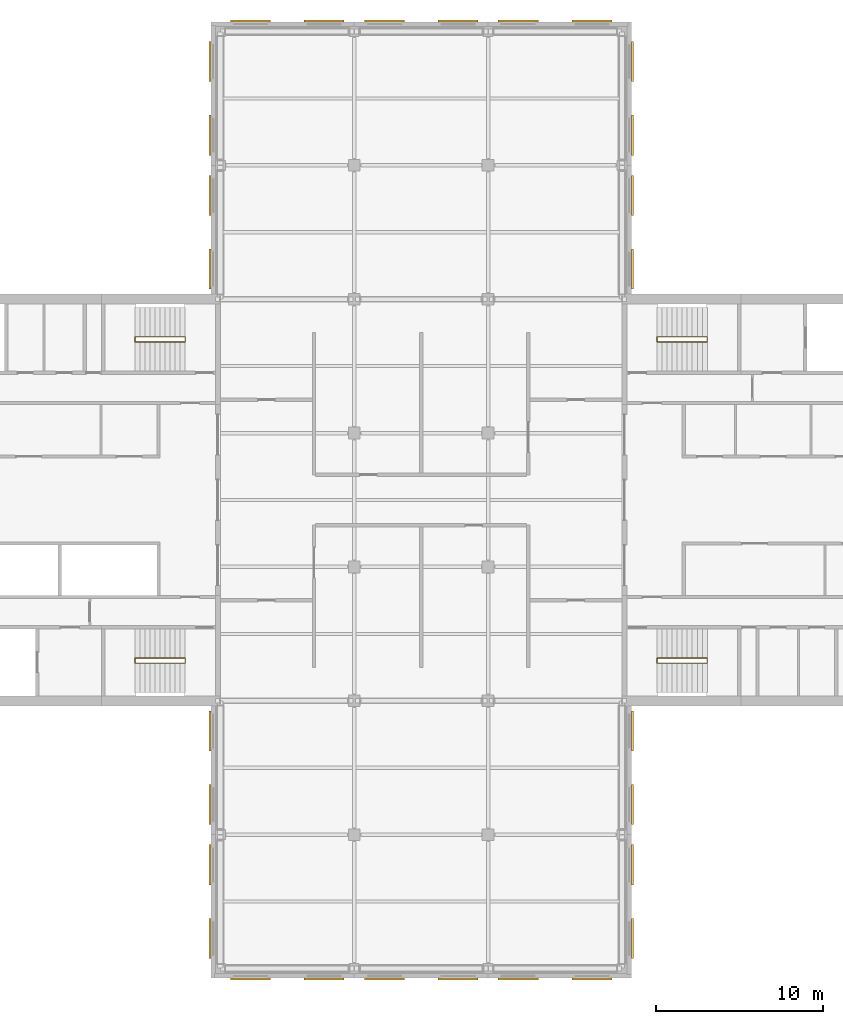
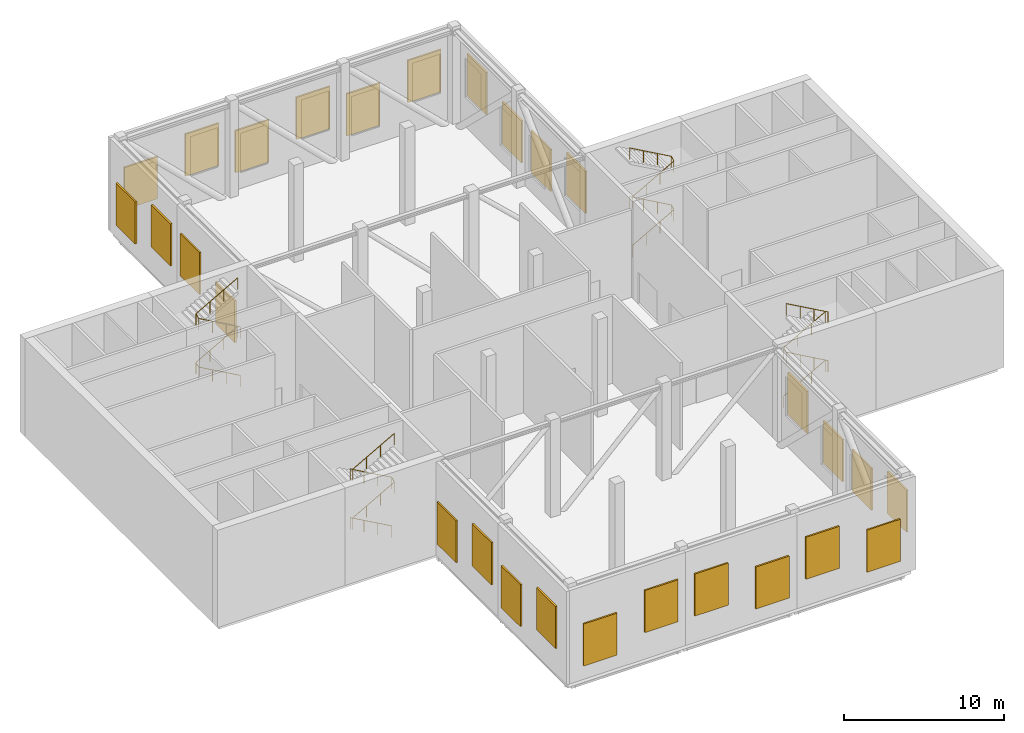
# One storey, part 10 of 10: 28 shading devices, 4 railings.
"""IFC4 building model written with IfcOpenShell, lengths in metres."""

from ifc_helpers import new_model, si_unit, direction, frame, origin, origin_2d, place, context, subcontext, project, spatial, rectangle, circle, extrude, material, constituent, constituent_set, type_object, element, save


model = new_model("IFC4")

# Units and contexts
model_context = context("Model", 3, precision=1e-05, world=origin(), true_north=direction((0.0, 1.0)))
body_context = subcontext(model_context, "Body", "Model", "MODEL_VIEW")
ifc_project = project(units=[si_unit("LENGTHUNIT", "METRE"), si_unit("AREAUNIT", "SQUARE_METRE"), si_unit("VOLUMEUNIT", "CUBIC_METRE"), si_unit("PLANEANGLEUNIT", "RADIAN"), si_unit("MASSUNIT", "GRAM", prefix="KILO")], contexts=[model_context])

# Site, building, storey
site_placement = place(None, origin())
site = spatial("IfcSite", under=ifc_project, at=site_placement, CompositionType="ELEMENT")
building_placement = place(site_placement, origin())
building = spatial("IfcBuilding", under=site, at=building_placement, Name="Crosswind Convention Tower", CompositionType="ELEMENT")
storey_placement = place(building_placement, frame((0.0, 0.0, 237.699951171875)))
storey = spatial("IfcBuildingStorey", under=building, at=storey_placement, Name="L51", CompositionType="ELEMENT", Elevation=237.699951171875)

# Railings
ifc_material_1 = material(Name="Stainless steel", Category="steel")
railing_type = type_object("IfcRailingType", Name="Stair handrail 900", PredefinedType="HANDRAIL", material=ifc_material_1)
railing_1_placement = place(storey_placement, frame((139.10009765625, 109.43994140625, 0.168212890625)))
element("IfcRailing", 1, at=railing_1_placement, inside=storey, type_object=railing_type, Name="Stair ST1 handrail L51", PredefinedType="HANDRAIL", context=body_context, shape_type="SweptSolid", body=[
    extrude(circle(Radius=0.02392578125, at=origin_2d()), frame((0.0, 0.0, 0.8759765625), z_axis=(0.872272294576, 0.0, 0.489020494575), x_axis=(0.0, 1.0, 0.0)), (0.0, 0.0, 1.0), 3.439208984375),
    extrude(circle(Radius=0.02392578125, at=origin_2d()), frame((3.0, 0.0, 2.5576171875), z_axis=(0.0, 0.885196349292, 0.465217608438), x_axis=(-1.0, 0.0, 0.0)), (0.0, 0.0, 1.0), 0.361572265625),
    extrude(circle(Radius=0.02392578125, at=origin_2d()), frame((3.0, 0.320068359375, 2.72607421875), z_axis=(-0.872302573547, 0.0, 0.488966481656), x_axis=(0.0, -1.0, 0.0)), (0.0, 0.0, 1.0), 3.439208984375),
    extrude(circle(Radius=0.02392578125, at=origin_2d()), frame((0.0, 0.320068359375, 4.40771484375), z_axis=(0.0, -0.885196349292, 0.465217608438), x_axis=(1.0, 0.0, 0.0)), (0.0, 0.0, 1.0), 0.361572265625),
    extrude(circle(Radius=0.02392578125, at=origin_2d()), frame((0.0, 0.0, 4.57568359375), z_axis=(0.872272294576, 0.0, 0.489020494575), x_axis=(0.0, 1.0, 0.0)), (0.0, 0.0, 1.0), 3.439208984375),
    extrude(circle(Radius=0.02392578125, at=origin_2d()), frame((3.0, 0.0, 6.2578125), z_axis=(0.0, 0.885196349292, 0.465217608438), x_axis=(-1.0, 0.0, 0.0)), (0.0, 0.0, 1.0), 0.361572265625),
    extrude(circle(Radius=0.02392578125, at=origin_2d()), frame((3.0, 0.320068359375, 6.42578125), z_axis=(-0.872272294576, 0.0, 0.489020494575), x_axis=(0.0, -1.0, 0.0)), (0.0, 0.0, 1.0), 3.439208984375),
    extrude(circle(Radius=0.02099609375, at=origin_2d()), origin(), (0.0, 0.0, 1.0), 0.851806640625),
    extrude(circle(Radius=0.02099609375, at=origin_2d()), frame((1.0, 0.0, 0.560546875)), (0.0, 0.0, 1.0), 0.851806640625),
    extrude(circle(Radius=0.02099609375, at=origin_2d()), frame((2.0, 0.0, 1.121337890625)), (0.0, 0.0, 1.0), 0.851806640625),
    extrude(circle(Radius=0.02099609375, at=origin_2d()), frame((3.0, 0.0, 1.681884765625)), (0.0, 0.0, 1.0), 0.851806640625),
    extrude(circle(Radius=0.02099609375, at=origin_2d()), frame((3.0, 0.320068359375, 1.85009765625)), (0.0, 0.0, 1.0), 0.851806640625),
    extrude(circle(Radius=0.02099609375, at=origin_2d()), frame((2.0, 0.320068359375, 2.41064453125)), (0.0, 0.0, 1.0), 0.851806640625),
    extrude(circle(Radius=0.02099609375, at=origin_2d()), frame((1.0, 0.320068359375, 2.97119140625)), (0.0, 0.0, 1.0), 0.851806640625),
    extrude(circle(Radius=0.02099609375, at=origin_2d()), frame((0.0, 0.320068359375, 3.53173828125)), (0.0, 0.0, 1.0), 0.851806640625),
    extrude(circle(Radius=0.02099609375, at=origin_2d()), frame((0.0, 0.0, 3.699951171875)), (0.0, 0.0, 1.0), 0.851806640625),
    extrude(circle(Radius=0.02099609375, at=origin_2d()), frame((1.0, 0.0, 4.260498046875)), (0.0, 0.0, 1.0), 0.851806640625),
    extrude(circle(Radius=0.02099609375, at=origin_2d()), frame((2.0, 0.0, 4.8212890625)), (0.0, 0.0, 1.0), 0.851806640625),
    extrude(circle(Radius=0.02099609375, at=origin_2d()), frame((3.0, 0.0, 5.3818359375)), (0.0, 0.0, 1.0), 0.851806640625),
    extrude(circle(Radius=0.02099609375, at=origin_2d()), frame((3.0, 0.320068359375, 5.550048828125)), (0.0, 0.0, 1.0), 0.851806640625),
    extrude(circle(Radius=0.02099609375, at=origin_2d()), frame((2.0, 0.320068359375, 6.110595703125)), (0.0, 0.0, 1.0), 0.851806640625),
    extrude(circle(Radius=0.02099609375, at=origin_2d()), frame((1.0, 0.320068359375, 6.67138671875)), (0.0, 0.0, 1.0), 0.851806640625),
    extrude(circle(Radius=0.02099609375, at=origin_2d()), frame((0.0, 0.320068359375, 7.23193359375)), (0.0, 0.0, 1.0), 0.851806640625),
])
railing_2_placement = place(storey_placement, frame((139.10009765625, 90.56005859375, 0.168212890625)))
element("IfcRailing", 2, at=railing_2_placement, inside=storey, type_object=railing_type, Name="Stair ST2 handrail L51", PredefinedType="HANDRAIL", context=body_context, shape_type="SweptSolid", body=[
    extrude(circle(Radius=0.02392578125, at=origin_2d()), frame((0.0, 0.0, 0.8759765625), z_axis=(0.872272294576, 0.0, 0.489020494575), x_axis=(0.0, 1.0, 0.0)), (0.0, 0.0, 1.0), 3.439208984375),
    extrude(circle(Radius=0.02392578125, at=origin_2d()), frame((3.0, 0.0, 2.5576171875), z_axis=(0.0, -0.885196349292, 0.465217608438), x_axis=(1.0, 0.0, 0.0)), (0.0, 0.0, 1.0), 0.361572265625),
    extrude(circle(Radius=0.02392578125, at=origin_2d()), frame((3.0, -0.320068359375, 2.72607421875), z_axis=(-0.872302573547, 0.0, 0.488966481656), x_axis=(0.0, -1.0, 0.0)), (0.0, 0.0, 1.0), 3.439208984375),
    extrude(circle(Radius=0.02392578125, at=origin_2d()), frame((0.0, -0.320068359375, 4.40771484375), z_axis=(0.0, 0.885196349292, 0.465217608438), x_axis=(-1.0, 0.0, 0.0)), (0.0, 0.0, 1.0), 0.361572265625),
    extrude(circle(Radius=0.02392578125, at=origin_2d()), frame((0.0, 0.0, 4.57568359375), z_axis=(0.872272294576, 0.0, 0.489020494575), x_axis=(0.0, 1.0, 0.0)), (0.0, 0.0, 1.0), 3.439208984375),
    extrude(circle(Radius=0.02392578125, at=origin_2d()), frame((3.0, 0.0, 6.2578125), z_axis=(0.0, -0.885196349292, 0.465217608438), x_axis=(1.0, 0.0, 0.0)), (0.0, 0.0, 1.0), 0.361572265625),
    extrude(circle(Radius=0.02392578125, at=origin_2d()), frame((3.0, -0.320068359375, 6.42578125), z_axis=(-0.872272294576, 0.0, 0.489020494575), x_axis=(0.0, -1.0, 0.0)), (0.0, 0.0, 1.0), 3.439208984375),
    extrude(circle(Radius=0.02099609375, at=origin_2d()), origin(), (0.0, 0.0, 1.0), 0.851806640625),
    extrude(circle(Radius=0.02099609375, at=origin_2d()), frame((1.0, 0.0, 0.560546875)), (0.0, 0.0, 1.0), 0.851806640625),
    extrude(circle(Radius=0.02099609375, at=origin_2d()), frame((2.0, 0.0, 1.121337890625)), (0.0, 0.0, 1.0), 0.851806640625),
    extrude(circle(Radius=0.02099609375, at=origin_2d()), frame((3.0, 0.0, 1.681884765625)), (0.0, 0.0, 1.0), 0.851806640625),
    extrude(circle(Radius=0.02099609375, at=origin_2d()), frame((3.0, -0.320068359375, 1.85009765625)), (0.0, 0.0, 1.0), 0.851806640625),
    extrude(circle(Radius=0.02099609375, at=origin_2d()), frame((2.0, -0.320068359375, 2.41064453125)), (0.0, 0.0, 1.0), 0.851806640625),
    extrude(circle(Radius=0.02099609375, at=origin_2d()), frame((1.0, -0.320068359375, 2.97119140625)), (0.0, 0.0, 1.0), 0.851806640625),
    extrude(circle(Radius=0.02099609375, at=origin_2d()), frame((0.0, -0.320068359375, 3.53173828125)), (0.0, 0.0, 1.0), 0.851806640625),
    extrude(circle(Radius=0.02099609375, at=origin_2d()), frame((0.0, 0.0, 3.699951171875)), (0.0, 0.0, 1.0), 0.851806640625),
    extrude(circle(Radius=0.02099609375, at=origin_2d()), frame((1.0, 0.0, 4.260498046875)), (0.0, 0.0, 1.0), 0.851806640625),
    extrude(circle(Radius=0.02099609375, at=origin_2d()), frame((2.0, 0.0, 4.8212890625)), (0.0, 0.0, 1.0), 0.851806640625),
    extrude(circle(Radius=0.02099609375, at=origin_2d()), frame((3.0, 0.0, 5.3818359375)), (0.0, 0.0, 1.0), 0.851806640625),
    extrude(circle(Radius=0.02099609375, at=origin_2d()), frame((3.0, -0.320068359375, 5.550048828125)), (0.0, 0.0, 1.0), 0.851806640625),
    extrude(circle(Radius=0.02099609375, at=origin_2d()), frame((2.0, -0.320068359375, 6.110595703125)), (0.0, 0.0, 1.0), 0.851806640625),
    extrude(circle(Radius=0.02099609375, at=origin_2d()), frame((1.0, -0.320068359375, 6.67138671875)), (0.0, 0.0, 1.0), 0.851806640625),
    extrude(circle(Radius=0.02099609375, at=origin_2d()), frame((0.0, -0.320068359375, 7.23193359375)), (0.0, 0.0, 1.0), 0.851806640625),
])
railing_3_placement = place(storey_placement, frame((110.89990234375, 90.56005859375, 0.168212890625)))
element("IfcRailing", 3, at=railing_3_placement, inside=storey, type_object=railing_type, Name="Stair ST3 handrail L51", PredefinedType="HANDRAIL", context=body_context, shape_type="SweptSolid", body=[
    extrude(circle(Radius=0.02392578125, at=origin_2d()), frame((0.0, 0.0, 0.8759765625), z_axis=(-0.872272294576, 0.0, 0.489020494575), x_axis=(0.0, -1.0, 0.0)), (0.0, 0.0, 1.0), 3.439208984375),
    extrude(circle(Radius=0.02392578125, at=origin_2d()), frame((-3.0, 0.0, 2.5576171875), z_axis=(0.0, -0.885196349292, 0.465217608438), x_axis=(1.0, 0.0, 0.0)), (0.0, 0.0, 1.0), 0.361572265625),
    extrude(circle(Radius=0.02392578125, at=origin_2d()), frame((-3.0, -0.320068359375, 2.72607421875), z_axis=(0.872302573547, 0.0, 0.488966481656), x_axis=(0.0, 1.0, 0.0)), (0.0, 0.0, 1.0), 3.439208984375),
    extrude(circle(Radius=0.02392578125, at=origin_2d()), frame((0.0, -0.320068359375, 4.40771484375), z_axis=(0.0, 0.885196349292, 0.465217608438), x_axis=(-1.0, 0.0, 0.0)), (0.0, 0.0, 1.0), 0.361572265625),
    extrude(circle(Radius=0.02392578125, at=origin_2d()), frame((0.0, 0.0, 4.57568359375), z_axis=(-0.872272294576, 0.0, 0.489020494575), x_axis=(0.0, -1.0, 0.0)), (0.0, 0.0, 1.0), 3.439208984375),
    extrude(circle(Radius=0.02392578125, at=origin_2d()), frame((-3.0, 0.0, 6.2578125), z_axis=(0.0, -0.885196349292, 0.465217608438), x_axis=(1.0, 0.0, 0.0)), (0.0, 0.0, 1.0), 0.361572265625),
    extrude(circle(Radius=0.02392578125, at=origin_2d()), frame((-3.0, -0.320068359375, 6.42578125), z_axis=(0.872272294576, 0.0, 0.489020494575), x_axis=(0.0, 1.0, 0.0)), (0.0, 0.0, 1.0), 3.439208984375),
    extrude(circle(Radius=0.02099609375, at=origin_2d()), origin(), (0.0, 0.0, 1.0), 0.851806640625),
    extrude(circle(Radius=0.02099609375, at=origin_2d()), frame((-1.0, 0.0, 0.560546875)), (0.0, 0.0, 1.0), 0.851806640625),
    extrude(circle(Radius=0.02099609375, at=origin_2d()), frame((-2.0, 0.0, 1.121337890625)), (0.0, 0.0, 1.0), 0.851806640625),
    extrude(circle(Radius=0.02099609375, at=origin_2d()), frame((-3.0, 0.0, 1.681884765625)), (0.0, 0.0, 1.0), 0.851806640625),
    extrude(circle(Radius=0.02099609375, at=origin_2d()), frame((-3.0, -0.320068359375, 1.85009765625)), (0.0, 0.0, 1.0), 0.851806640625),
    extrude(circle(Radius=0.02099609375, at=origin_2d()), frame((-2.0, -0.320068359375, 2.41064453125)), (0.0, 0.0, 1.0), 0.851806640625),
    extrude(circle(Radius=0.02099609375, at=origin_2d()), frame((-1.0, -0.320068359375, 2.97119140625)), (0.0, 0.0, 1.0), 0.851806640625),
    extrude(circle(Radius=0.02099609375, at=origin_2d()), frame((0.0, -0.320068359375, 3.53173828125)), (0.0, 0.0, 1.0), 0.851806640625),
    extrude(circle(Radius=0.02099609375, at=origin_2d()), frame((0.0, 0.0, 3.699951171875)), (0.0, 0.0, 1.0), 0.851806640625),
    extrude(circle(Radius=0.02099609375, at=origin_2d()), frame((-1.0, 0.0, 4.260498046875)), (0.0, 0.0, 1.0), 0.851806640625),
    extrude(circle(Radius=0.02099609375, at=origin_2d()), frame((-2.0, 0.0, 4.8212890625)), (0.0, 0.0, 1.0), 0.851806640625),
    extrude(circle(Radius=0.02099609375, at=origin_2d()), frame((-3.0, 0.0, 5.3818359375)), (0.0, 0.0, 1.0), 0.851806640625),
    extrude(circle(Radius=0.02099609375, at=origin_2d()), frame((-3.0, -0.320068359375, 5.550048828125)), (0.0, 0.0, 1.0), 0.851806640625),
    extrude(circle(Radius=0.02099609375, at=origin_2d()), frame((-2.0, -0.320068359375, 6.110595703125)), (0.0, 0.0, 1.0), 0.851806640625),
    extrude(circle(Radius=0.02099609375, at=origin_2d()), frame((-1.0, -0.320068359375, 6.67138671875)), (0.0, 0.0, 1.0), 0.851806640625),
    extrude(circle(Radius=0.02099609375, at=origin_2d()), frame((0.0, -0.320068359375, 7.23193359375)), (0.0, 0.0, 1.0), 0.851806640625),
])
railing_4_placement = place(storey_placement, frame((110.89990234375, 109.43994140625, 0.168212890625)))
element("IfcRailing", 4, at=railing_4_placement, inside=storey, type_object=railing_type, Name="Stair ST4 handrail L51", PredefinedType="HANDRAIL", context=body_context, shape_type="SweptSolid", body=[
    extrude(circle(Radius=0.02392578125, at=origin_2d()), frame((0.0, 0.0, 0.8759765625), z_axis=(-0.872272294576, 0.0, 0.489020494575), x_axis=(0.0, -1.0, 0.0)), (0.0, 0.0, 1.0), 3.439208984375),
    extrude(circle(Radius=0.02392578125, at=origin_2d()), frame((-3.0, 0.0, 2.5576171875), z_axis=(0.0, 0.885196349292, 0.465217608438), x_axis=(-1.0, 0.0, 0.0)), (0.0, 0.0, 1.0), 0.361572265625),
    extrude(circle(Radius=0.02392578125, at=origin_2d()), frame((-3.0, 0.320068359375, 2.72607421875), z_axis=(0.872302573547, 0.0, 0.488966481656), x_axis=(0.0, 1.0, 0.0)), (0.0, 0.0, 1.0), 3.439208984375),
    extrude(circle(Radius=0.02392578125, at=origin_2d()), frame((0.0, 0.320068359375, 4.40771484375), z_axis=(0.0, -0.885196349292, 0.465217608438), x_axis=(1.0, 0.0, 0.0)), (0.0, 0.0, 1.0), 0.361572265625),
    extrude(circle(Radius=0.02392578125, at=origin_2d()), frame((0.0, 0.0, 4.57568359375), z_axis=(-0.872272294576, 0.0, 0.489020494575), x_axis=(0.0, -1.0, 0.0)), (0.0, 0.0, 1.0), 3.439208984375),
    extrude(circle(Radius=0.02392578125, at=origin_2d()), frame((-3.0, 0.0, 6.2578125), z_axis=(0.0, 0.885196349292, 0.465217608438), x_axis=(-1.0, 0.0, 0.0)), (0.0, 0.0, 1.0), 0.361572265625),
    extrude(circle(Radius=0.02392578125, at=origin_2d()), frame((-3.0, 0.320068359375, 6.42578125), z_axis=(0.872272294576, 0.0, 0.489020494575), x_axis=(0.0, 1.0, 0.0)), (0.0, 0.0, 1.0), 3.439208984375),
    extrude(circle(Radius=0.02099609375, at=origin_2d()), origin(), (0.0, 0.0, 1.0), 0.851806640625),
    extrude(circle(Radius=0.02099609375, at=origin_2d()), frame((-1.0, 0.0, 0.560546875)), (0.0, 0.0, 1.0), 0.851806640625),
    extrude(circle(Radius=0.02099609375, at=origin_2d()), frame((-2.0, 0.0, 1.121337890625)), (0.0, 0.0, 1.0), 0.851806640625),
    extrude(circle(Radius=0.02099609375, at=origin_2d()), frame((-3.0, 0.0, 1.681884765625)), (0.0, 0.0, 1.0), 0.851806640625),
    extrude(circle(Radius=0.02099609375, at=origin_2d()), frame((-3.0, 0.320068359375, 1.85009765625)), (0.0, 0.0, 1.0), 0.851806640625),
    extrude(circle(Radius=0.02099609375, at=origin_2d()), frame((-2.0, 0.320068359375, 2.41064453125)), (0.0, 0.0, 1.0), 0.851806640625),
    extrude(circle(Radius=0.02099609375, at=origin_2d()), frame((-1.0, 0.320068359375, 2.97119140625)), (0.0, 0.0, 1.0), 0.851806640625),
    extrude(circle(Radius=0.02099609375, at=origin_2d()), frame((0.0, 0.320068359375, 3.53173828125)), (0.0, 0.0, 1.0), 0.851806640625),
    extrude(circle(Radius=0.02099609375, at=origin_2d()), frame((0.0, 0.0, 3.699951171875)), (0.0, 0.0, 1.0), 0.851806640625),
    extrude(circle(Radius=0.02099609375, at=origin_2d()), frame((-1.0, 0.0, 4.260498046875)), (0.0, 0.0, 1.0), 0.851806640625),
    extrude(circle(Radius=0.02099609375, at=origin_2d()), frame((-2.0, 0.0, 4.8212890625)), (0.0, 0.0, 1.0), 0.851806640625),
    extrude(circle(Radius=0.02099609375, at=origin_2d()), frame((-3.0, 0.0, 5.3818359375)), (0.0, 0.0, 1.0), 0.851806640625),
    extrude(circle(Radius=0.02099609375, at=origin_2d()), frame((-3.0, 0.320068359375, 5.550048828125)), (0.0, 0.0, 1.0), 0.851806640625),
    extrude(circle(Radius=0.02099609375, at=origin_2d()), frame((-2.0, 0.320068359375, 6.110595703125)), (0.0, 0.0, 1.0), 0.851806640625),
    extrude(circle(Radius=0.02099609375, at=origin_2d()), frame((-1.0, 0.320068359375, 6.67138671875)), (0.0, 0.0, 1.0), 0.851806640625),
    extrude(circle(Radius=0.02099609375, at=origin_2d()), frame((0.0, 0.320068359375, 7.23193359375)), (0.0, 0.0, 1.0), 0.851806640625),
])

# Shading devices
ifc_material_2 = material(Name="Extruded terracotta", Category="ceramic")
ifc_constituent_1 = constituent(ifc_material_2, Name="Blades")
ifc_material_3 = material(Name="Steel S355", Category="steel")
ifc_constituent_2 = constituent(ifc_material_3, Name="Frame")
ifc_constituent_set = constituent_set(constituents=[ifc_constituent_1, ifc_constituent_2], Name="Extruded terracotta, Steel S355")
shading_device_type = type_object("IfcShadingDeviceType", Name="TERRACOTTA LOUVRE BAND 2400X3200", PredefinedType="JALOUSIE", material=ifc_constituent_set)
for number, where, z_axis, x_axis, name in (
    (5, (137.625, 113.800048828125, 2.10009765625), (0.0, 0.0, 1.0), (0.0, 1.0, 0.0), "LV1 terracotta louvre band L51 N-E.1-1.1"),
    (6, (137.625, 118.199951171875, 1.10009765625), (0.0, 0.0, 1.0), (0.0, 1.0, 0.0), "LV1 terracotta louvre band L51 N-E.1-1.2"),
    (7, (137.625, 121.800048828125, 1.10009765625), (0.0, 0.0, 1.0), (0.0, 1.0, 0.0), "LV1 terracotta louvre band L51 N-E.1-2.1"),
    (8, (137.625, 126.199951171875, 2.10009765625), (0.0, 0.0, 1.0), (0.0, 1.0, 0.0), "LV1 terracotta louvre band L51 N-E.1-2.2"),
    (9, (135.199951171875, 128.625, 2.10009765625), (0.0, 0.0, 1.0), (-1.0, 0.0, 0.0), "LV1 terracotta louvre band L51 N-TIP.1-1.1"),
    (10, (130.800048828125, 128.625, 1.10009765625), (0.0, 0.0, 1.0), (-1.0, 0.0, 0.0), "LV1 terracotta louvre band L51 N-TIP.1-1.2"),
    (11, (127.199951171875, 128.625, 2.10009765625), (0.0, 0.0, 1.0), (-1.0, 0.0, 0.0), "LV1 terracotta louvre band L51 N-TIP.1-2.1"),
    (12, (122.800048828125, 128.625, 1.10009765625), (0.0, 0.0, 1.0), (-1.0, 0.0, 0.0), "LV1 terracotta louvre band L51 N-TIP.1-2.2"),
    (13, (119.199951171875, 128.625, 2.10009765625), (0.0, 0.0, 1.0), (-1.0, 0.0, 0.0), "LV1 terracotta louvre band L51 N-TIP.1-3.1"),
    (14, (114.800048828125, 128.625, 1.10009765625), (0.0, 0.0, 1.0), (-1.0, 0.0, 0.0), "LV1 terracotta louvre band L51 N-TIP.1-3.2"),
    (15, (112.375, 126.199951171875, 1.10009765625), (0.0, 0.0, 1.0), (0.0, -1.0, 0.0), "LV1 terracotta louvre band L51 N-W.1-1.1"),
    (16, (112.375, 121.800048828125, 2.10009765625), (0.0, 0.0, 1.0), (0.0, -1.0, 0.0), "LV1 terracotta louvre band L51 N-W.1-1.2"),
    (17, (112.375, 118.199951171875, 2.10009765625), (0.0, 0.0, 1.0), (0.0, -1.0, 0.0), "LV1 terracotta louvre band L51 N-W.1-2.1"),
    (18, (112.375, 113.800048828125, 1.10009765625), (0.0, 0.0, 1.0), (0.0, -1.0, 0.0), "LV1 terracotta louvre band L51 N-W.1-2.2"),
    (19, (112.375, 86.199951171875, 1.10009765625), (0.0, 0.0, 1.0), (0.0, -1.0, 0.0), "LV1 terracotta louvre band L51 S-W.1-1.1"),
    (20, (112.375, 81.800048828125, 2.10009765625), (0.0, 0.0, 1.0), (0.0, -1.0, 0.0), "LV1 terracotta louvre band L51 S-W.1-1.2"),
    (21, (112.375, 78.199951171875, 1.10009765625), (0.0, 0.0, 1.0), (0.0, -1.0, 0.0), "LV1 terracotta louvre band L51 S-W.1-2.1"),
    (22, (112.375, 73.800048828125, 2.10009765625), (0.0, 0.0, 1.0), (0.0, -1.0, 0.0), "LV1 terracotta louvre band L51 S-W.1-2.2"),
    (23, (114.800048828125, 71.375, 1.10009765625), (0.0, 0.0, 1.0), (1.0, 0.0, 0.0), "LV1 terracotta louvre band L51 S-TIP.1-1.1"),
    (24, (119.199951171875, 71.375, 2.10009765625), (0.0, 0.0, 1.0), (1.0, 0.0, 0.0), "LV1 terracotta louvre band L51 S-TIP.1-1.2"),
    (25, (122.800048828125, 71.375, 2.10009765625), (0.0, 0.0, 1.0), (1.0, 0.0, 0.0), "LV1 terracotta louvre band L51 S-TIP.1-2.1"),
    (26, (127.199951171875, 71.375, 1.10009765625), (0.0, 0.0, 1.0), (1.0, 0.0, 0.0), "LV1 terracotta louvre band L51 S-TIP.1-2.2"),
    (27, (130.800048828125, 71.375, 2.10009765625), (0.0, 0.0, 1.0), (1.0, 0.0, 0.0), "LV1 terracotta louvre band L51 S-TIP.1-3.1"),
    (28, (135.199951171875, 71.375, 1.10009765625), (0.0, 0.0, 1.0), (1.0, 0.0, 0.0), "LV1 terracotta louvre band L51 S-TIP.1-3.2"),
    (29, (137.625, 73.800048828125, 2.10009765625), (0.0, 0.0, 1.0), (0.0, 1.0, 0.0), "LV1 terracotta louvre band L51 S-E.1-1.1"),
    (30, (137.625, 78.199951171875, 1.10009765625), (0.0, 0.0, 1.0), (0.0, 1.0, 0.0), "LV1 terracotta louvre band L51 S-E.1-1.2"),
    (31, (137.625, 81.800048828125, 1.10009765625), (0.0, 0.0, 1.0), (0.0, 1.0, 0.0), "LV1 terracotta louvre band L51 S-E.1-2.1"),
    (32, (137.625, 86.199951171875, 2.10009765625), (0.0, 0.0, 1.0), (0.0, 1.0, 0.0), "LV1 terracotta louvre band L51 S-E.1-2.2"),
):
    element("IfcShadingDevice", number, at=place(storey_placement, frame(where, z_axis=z_axis, x_axis=x_axis)), inside=storey, type_object=shading_device_type, Name=name, PredefinedType="JALOUSIE", context=body_context, shape_type="SweptSolid", body=[
        extrude(rectangle(XDim=2.39990234375, YDim=0.1201171875, at=origin_2d()), origin(), (0.0, 0.0, 1.0), 3.199951171875),
    ])

save(model, "model.ifc")
